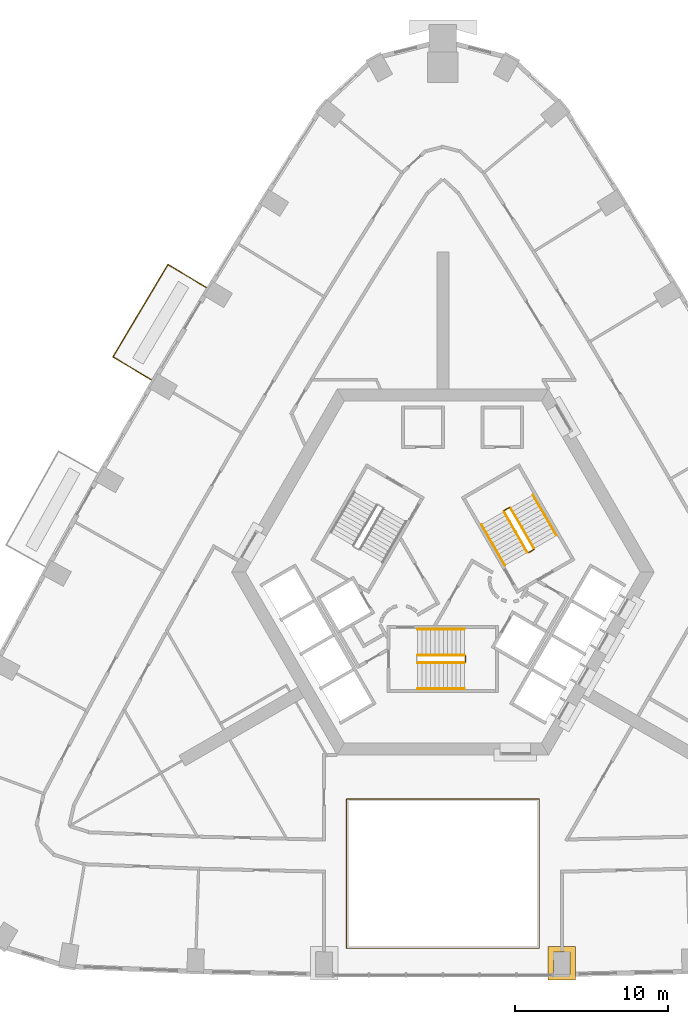
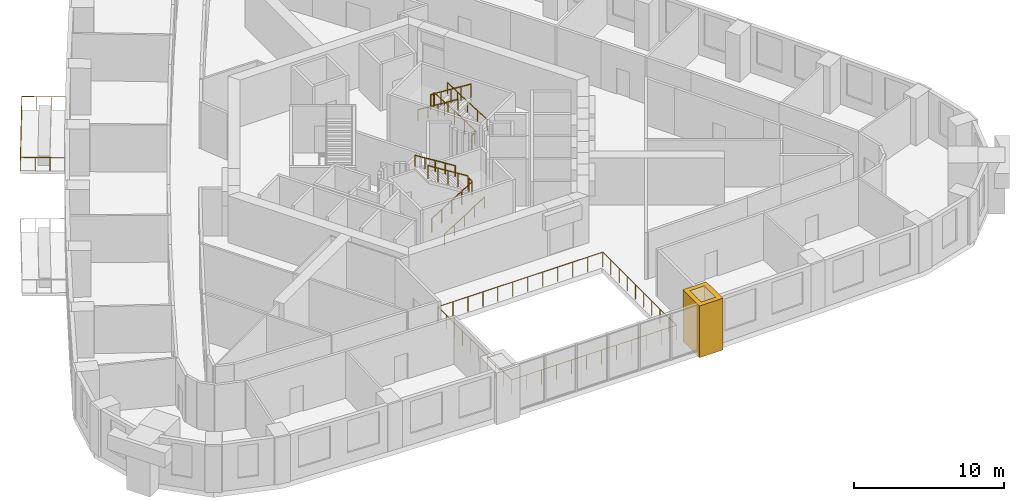
# One storey, part 13 of 14: 13 railings, 1 covering.
"""IFC4 building model written with IfcOpenShell, lengths in metres."""

from ifc_helpers import new_model, si_unit, direction, frame, origin, origin_2d, place, context, subcontext, project, spatial, polyline, circle, outline, extrude, material, type_object, element, save


model = new_model("IFC4")

# Units and contexts
model_context = context("Model", 3, precision=1e-05, world=origin(), true_north=direction((0.0, 1.0)))
body_context = subcontext(model_context, "Body", "Model", "MODEL_VIEW")
ifc_project = project(units=[si_unit("LENGTHUNIT", "METRE"), si_unit("AREAUNIT", "SQUARE_METRE"), si_unit("VOLUMEUNIT", "CUBIC_METRE"), si_unit("PLANEANGLEUNIT", "RADIAN"), si_unit("MASSUNIT", "GRAM", prefix="KILO")], contexts=[model_context])

# Site, building, storey
site_placement = place(None, origin())
site = spatial("IfcSite", under=ifc_project, at=site_placement, CompositionType="ELEMENT")
building_placement = place(site_placement, origin())
building = spatial("IfcBuilding", under=site, at=building_placement, Name="Entoto Arch Interchange Tower", CompositionType="ELEMENT")
storey_placement = place(building_placement, frame((0.0, 0.0, 146.60009765625)))
storey = spatial("IfcBuildingStorey", under=building, at=storey_placement, Name="L32", CompositionType="ELEMENT", Elevation=146.60009765625)

# Railings
ifc_material_1 = material(Name="Stainless steel 1.4301", Category="steel")
railing_type_1 = type_object("IfcRailingType", Name="ATRIUM GUARD 1200 STEEL AND GLASS", PredefinedType="GUARDRAIL", material=ifc_material_1)
railing_1_placement = place(storey_placement, frame((6.320068359375, -22.160888671875, 0.0)))
element("IfcRailing", 1, at=railing_1_placement, inside=storey, type_object=railing_type_1, Name="Atrium guard L32", PredefinedType="GUARDRAIL", context=body_context, shape_type="SweptSolid", body=[
    extrude(circle(Radius=0.02392578125, at=origin_2d()), frame((0.0, 0.0, 1.17578125), z_axis=(-1.0, 0.0, 0.0), x_axis=(0.0, -1.0, 0.0)), (0.0, 0.0, 1.0), 12.64013671875),
    extrude(circle(Radius=0.02392578125, at=origin_2d()), frame((-12.64013671875, 0.0, 1.17578125), z_axis=(0.0, 1.0, 0.0), x_axis=(-1.0, 0.0, 0.0)), (0.0, 0.0, 1.0), 9.781005859375),
    extrude(circle(Radius=0.02392578125, at=origin_2d()), frame((-12.64013671875, 9.781005859375, 1.17578125), z_axis=(1.0, 0.0, 0.0), x_axis=(0.0, 1.0, 0.0)), (0.0, 0.0, 1.0), 12.64013671875),
    extrude(circle(Radius=0.02392578125, at=origin_2d()), frame((0.0, 9.781005859375, 1.17578125), z_axis=(0.0, -1.0, 0.0), x_axis=(1.0, 0.0, 0.0)), (0.0, 0.0, 1.0), 9.781005859375),
    extrude(circle(Radius=0.02099609375, at=origin_2d()), origin(), (0.0, 0.0, 1.0), 1.15185546875),
    extrude(circle(Radius=0.02099609375, at=origin_2d()), frame((-1.149169921875, 0.0, 0.0)), (0.0, 0.0, 1.0), 1.15185546875),
    extrude(circle(Radius=0.02099609375, at=origin_2d()), frame((-2.298095703125, 0.0, 0.0)), (0.0, 0.0, 1.0), 1.15185546875),
    extrude(circle(Radius=0.02099609375, at=origin_2d()), frame((-3.447265625, 0.0, 0.0)), (0.0, 0.0, 1.0), 1.15185546875),
    extrude(circle(Radius=0.02099609375, at=origin_2d()), frame((-4.596435546875, 0.0, 0.0)), (0.0, 0.0, 1.0), 1.15185546875),
    extrude(circle(Radius=0.02099609375, at=origin_2d()), frame((-5.74560546875, 0.0, 0.0)), (0.0, 0.0, 1.0), 1.15185546875),
    extrude(circle(Radius=0.02099609375, at=origin_2d()), frame((-6.89453125, 0.0, 0.0)), (0.0, 0.0, 1.0), 1.15185546875),
    extrude(circle(Radius=0.02099609375, at=origin_2d()), frame((-8.043701171875, 0.0, 0.0)), (0.0, 0.0, 1.0), 1.15185546875),
    extrude(circle(Radius=0.02099609375, at=origin_2d()), frame((-9.19287109375, 0.0, 0.0)), (0.0, 0.0, 1.0), 1.15185546875),
    extrude(circle(Radius=0.02099609375, at=origin_2d()), frame((-10.342041015625, 0.0, 0.0)), (0.0, 0.0, 1.0), 1.15185546875),
    extrude(circle(Radius=0.02099609375, at=origin_2d()), frame((-11.490966796875, 0.0, 0.0)), (0.0, 0.0, 1.0), 1.15185546875),
    extrude(circle(Radius=0.02099609375, at=origin_2d()), frame((-12.64013671875, 0.0, 0.0)), (0.0, 0.0, 1.0), 1.15185546875),
    extrude(circle(Radius=0.02099609375, at=origin_2d()), frame((-12.64013671875, 1.086669921875, 0.0)), (0.0, 0.0, 1.0), 1.15185546875),
    extrude(circle(Radius=0.02099609375, at=origin_2d()), frame((-12.64013671875, 2.173583984375, 0.0)), (0.0, 0.0, 1.0), 1.15185546875),
    extrude(circle(Radius=0.02099609375, at=origin_2d()), frame((-12.64013671875, 3.26025390625, 0.0)), (0.0, 0.0, 1.0), 1.15185546875),
    extrude(circle(Radius=0.02099609375, at=origin_2d()), frame((-12.64013671875, 4.34716796875, 0.0)), (0.0, 0.0, 1.0), 1.15185546875),
    extrude(circle(Radius=0.02099609375, at=origin_2d()), frame((-12.64013671875, 5.433837890625, 0.0)), (0.0, 0.0, 1.0), 1.15185546875),
    extrude(circle(Radius=0.02099609375, at=origin_2d()), frame((-12.64013671875, 6.520751953125, 0.0)), (0.0, 0.0, 1.0), 1.15185546875),
    extrude(circle(Radius=0.02099609375, at=origin_2d()), frame((-12.64013671875, 7.607421875, 0.0)), (0.0, 0.0, 1.0), 1.15185546875),
    extrude(circle(Radius=0.02099609375, at=origin_2d()), frame((-12.64013671875, 8.6943359375, 0.0)), (0.0, 0.0, 1.0), 1.15185546875),
    extrude(circle(Radius=0.02099609375, at=origin_2d()), frame((-12.64013671875, 9.781005859375, 0.0)), (0.0, 0.0, 1.0), 1.15185546875),
    extrude(circle(Radius=0.02099609375, at=origin_2d()), frame((-11.490966796875, 9.781005859375, 0.0)), (0.0, 0.0, 1.0), 1.15185546875),
    extrude(circle(Radius=0.02099609375, at=origin_2d()), frame((-10.342041015625, 9.781005859375, 0.0)), (0.0, 0.0, 1.0), 1.15185546875),
    extrude(circle(Radius=0.02099609375, at=origin_2d()), frame((-9.19287109375, 9.781005859375, 0.0)), (0.0, 0.0, 1.0), 1.15185546875),
    extrude(circle(Radius=0.02099609375, at=origin_2d()), frame((-8.043701171875, 9.781005859375, 0.0)), (0.0, 0.0, 1.0), 1.15185546875),
    extrude(circle(Radius=0.02099609375, at=origin_2d()), frame((-6.89453125, 9.781005859375, 0.0)), (0.0, 0.0, 1.0), 1.15185546875),
    extrude(circle(Radius=0.02099609375, at=origin_2d()), frame((-5.74560546875, 9.781005859375, 0.0)), (0.0, 0.0, 1.0), 1.15185546875),
    extrude(circle(Radius=0.02099609375, at=origin_2d()), frame((-4.596435546875, 9.781005859375, 0.0)), (0.0, 0.0, 1.0), 1.15185546875),
    extrude(circle(Radius=0.02099609375, at=origin_2d()), frame((-3.447265625, 9.781005859375, 0.0)), (0.0, 0.0, 1.0), 1.15185546875),
    extrude(circle(Radius=0.02099609375, at=origin_2d()), frame((-2.298095703125, 9.781005859375, 0.0)), (0.0, 0.0, 1.0), 1.15185546875),
    extrude(circle(Radius=0.02099609375, at=origin_2d()), frame((-1.149169921875, 9.781005859375, 0.0)), (0.0, 0.0, 1.0), 1.15185546875),
    extrude(circle(Radius=0.02099609375, at=origin_2d()), frame((0.0, 9.781005859375, 0.0)), (0.0, 0.0, 1.0), 1.15185546875),
    extrude(circle(Radius=0.02099609375, at=origin_2d()), frame((0.0, 8.6943359375, 0.0)), (0.0, 0.0, 1.0), 1.15185546875),
    extrude(circle(Radius=0.02099609375, at=origin_2d()), frame((0.0, 7.607421875, 0.0)), (0.0, 0.0, 1.0), 1.15185546875),
    extrude(circle(Radius=0.02099609375, at=origin_2d()), frame((0.0, 6.520751953125, 0.0)), (0.0, 0.0, 1.0), 1.15185546875),
    extrude(circle(Radius=0.02099609375, at=origin_2d()), frame((0.0, 5.433837890625, 0.0)), (0.0, 0.0, 1.0), 1.15185546875),
    extrude(circle(Radius=0.02099609375, at=origin_2d()), frame((0.0, 4.34716796875, 0.0)), (0.0, 0.0, 1.0), 1.15185546875),
    extrude(circle(Radius=0.02099609375, at=origin_2d()), frame((0.0, 3.26025390625, 0.0)), (0.0, 0.0, 1.0), 1.15185546875),
    extrude(circle(Radius=0.02099609375, at=origin_2d()), frame((0.0, 2.173583984375, 0.0)), (0.0, 0.0, 1.0), 1.15185546875),
    extrude(circle(Radius=0.02099609375, at=origin_2d()), frame((0.0, 1.086669921875, 0.0)), (0.0, 0.0, 1.0), 1.15185546875),
])
railing_type_2 = type_object("IfcRailingType", Name="GUARD 1100 STEEL AND GLASS", PredefinedType="GUARDRAIL", material=ifc_material_1)
railing_2_placement = place(storey_placement, frame((-15.489013671875, 21.154052734375, 0.0)))
element("IfcRailing", 2, at=railing_2_placement, inside=storey, type_object=railing_type_2, Name="Balcony guard NW-03 L32", PredefinedType="GUARDRAIL", context=body_context, shape_type="SweptSolid", body=[
    extrude(circle(Radius=0.02392578125, at=origin_2d()), frame((0.0, 0.0, 1.076171875), z_axis=(-0.85903727045, 0.511913047282, 0.0), x_axis=(-0.511913047282, -0.85903727045, 0.0)), (0.0, 0.0, 1.0), 2.94970703125),
    extrude(circle(Radius=0.02392578125, at=origin_2d()), frame((-2.533935546875, 1.510009765625, 1.076171875), z_axis=(-0.511870965797, -0.859062346034, 0.0), x_axis=(0.859062346034, -0.511870965797, 0.0)), (0.0, 0.0, 1.0), 7.05078125),
    extrude(circle(Radius=0.02392578125, at=origin_2d()), frame((-6.14306640625, -4.547119140625, 1.076171875), z_axis=(0.859058957605, -0.511876652484, 0.0), x_axis=(0.511876652484, 0.859058957605, 0.0)), (0.0, 0.0, 1.0), 2.949951171875),
    extrude(circle(Radius=0.02099609375, at=origin_2d()), origin(), (0.0, 0.0, 1.0), 1.052001953125),
    extrude(circle(Radius=0.02099609375, at=origin_2d()), frame((-0.8447265625, 0.50341796875, 0.0)), (0.0, 0.0, 1.0), 1.052001953125),
    extrude(circle(Radius=0.02099609375, at=origin_2d()), frame((-1.689208984375, 1.006591796875, 0.0)), (0.0, 0.0, 1.0), 1.052001953125),
    extrude(circle(Radius=0.02099609375, at=origin_2d()), frame((-2.533935546875, 1.510009765625, 0.0)), (0.0, 0.0, 1.0), 1.052001953125),
    extrude(circle(Radius=0.02099609375, at=origin_2d()), frame((-3.135498046875, 0.50048828125, 0.0)), (0.0, 0.0, 1.0), 1.052001953125),
    extrude(circle(Radius=0.02099609375, at=origin_2d()), frame((-3.737060546875, -0.509033203125, 0.0)), (0.0, 0.0, 1.0), 1.052001953125),
    extrude(circle(Radius=0.02099609375, at=origin_2d()), frame((-4.33837890625, -1.5185546875, 0.0)), (0.0, 0.0, 1.0), 1.052001953125),
    extrude(circle(Radius=0.02099609375, at=origin_2d()), frame((-4.93994140625, -2.528076171875, 0.0)), (0.0, 0.0, 1.0), 1.052001953125),
    extrude(circle(Radius=0.02099609375, at=origin_2d()), frame((-5.54150390625, -3.53759765625, 0.0)), (0.0, 0.0, 1.0), 1.052001953125),
    extrude(circle(Radius=0.02099609375, at=origin_2d()), frame((-6.14306640625, -4.547119140625, 0.0)), (0.0, 0.0, 1.0), 1.052001953125),
    extrude(circle(Radius=0.02099609375, at=origin_2d()), frame((-5.29833984375, -5.050537109375, 0.0)), (0.0, 0.0, 1.0), 1.052001953125),
    extrude(circle(Radius=0.02099609375, at=origin_2d()), frame((-4.45361328125, -5.5537109375, 0.0)), (0.0, 0.0, 1.0), 1.052001953125),
    extrude(circle(Radius=0.02099609375, at=origin_2d()), frame((-3.60888671875, -6.05712890625, 0.0)), (0.0, 0.0, 1.0), 1.052001953125),
])

# Covering
ifc_material_2 = material(Name="Board-marked precast concrete C50/60", Category="concrete")
covering_type = type_object("IfcCoveringType", Name="PRECAST FRAME COURSE", PredefinedType="CLADDING", material=ifc_material_2)
covering_placement = place(storey_placement, frame((0.0, 0.0, -0.400146484375)))
element("IfcCovering", 3, at=covering_placement, inside=storey, type_object=covering_type, Name="Gate pier L32", PredefinedType="CLADDING", context=body_context, shape_type="SweptSolid", body=[
    extrude(outline(polyline([(6.888916015625, -22.041015625), (8.68896484375, -22.041015625), (8.68896484375, -24.240966796875), (6.888916015625, -24.240966796875), (6.888916015625, -22.041015625)]), holes=[polyline([(7.239013671875, -22.39111328125), (7.239013671875, -23.89111328125), (8.339111328125, -23.89111328125), (8.339111328125, -22.39111328125), (7.239013671875, -22.39111328125)])]), origin(), (0.0, 0.0, 1.0), 4.199951171875),
])

# Railings
railing_type_3 = type_object("IfcRailingType", Name="STAIR GUARD 1100 STEEL", PredefinedType="GUARDRAIL", material=ifc_material_1)
railing_3_placement = place(storey_placement, frame((-1.64990234375, -3.449951171875, 0.1748046875)))
element("IfcRailing", 4, at=railing_3_placement, inside=storey, type_object=railing_type_3, Name="L32 ST-S stair guard 1", PredefinedType="GUARDRAIL", context=body_context, shape_type="SweptSolid", body=[
    extrude(circle(Radius=0.02392578125, at=origin_2d()), frame((0.0, 0.0, 1.076171875), z_axis=(0.847979421464, 0.0, 0.530029150871), x_axis=(0.0, 1.0, 0.0)), (0.0, 0.0, 1.0), 3.632080078125),
    extrude(circle(Radius=0.02099609375, at=origin_2d()), origin(), (0.0, 0.0, 1.0), 1.052001953125),
    extrude(circle(Radius=0.02099609375, at=origin_2d()), frame((0.77001953125, 0.0, 0.481201171875)), (0.0, 0.0, 1.0), 1.052001953125),
    extrude(circle(Radius=0.02099609375, at=origin_2d()), frame((1.5400390625, 0.0, 0.96240234375)), (0.0, 0.0, 1.0), 1.052001953125),
    extrude(circle(Radius=0.02099609375, at=origin_2d()), frame((2.309814453125, 0.0, 1.44384765625)), (0.0, 0.0, 1.0), 1.052001953125),
    extrude(circle(Radius=0.02099609375, at=origin_2d()), frame((3.079833984375, 0.0, 1.925048828125)), (0.0, 0.0, 1.0), 1.052001953125),
])
railing_4_placement = place(storey_placement, frame((1.47998046875, -3.39990234375, 2.099853515625)))
element("IfcRailing", 5, at=railing_4_placement, inside=storey, type_object=railing_type_3, Name="L32 ST-S stair guard 2", PredefinedType="GUARDRAIL", context=body_context, shape_type="SweptSolid", body=[
    extrude(circle(Radius=0.02392578125, at=origin_2d()), frame((0.0, 0.0, 1.076171875), z_axis=(0.0, 1.0, 0.0), x_axis=(-1.0, 0.0, 0.0)), (0.0, 0.0, 1.0), 0.39990234375),
    extrude(circle(Radius=0.02099609375, at=origin_2d()), origin(), (0.0, 0.0, 1.0), 1.052001953125),
    extrude(circle(Radius=0.02099609375, at=origin_2d()), frame((0.0, 0.39990234375, 0.0)), (0.0, 0.0, 1.0), 1.052001953125),
])
railing_5_placement = place(storey_placement, frame((1.429931640625, -2.949951171875, 2.27490234375)))
element("IfcRailing", 6, at=railing_5_placement, inside=storey, type_object=railing_type_3, Name="L32 ST-S stair guard 3", PredefinedType="GUARDRAIL", context=body_context, shape_type="SweptSolid", body=[
    extrude(circle(Radius=0.02392578125, at=origin_2d()), frame((0.0, 0.0, 1.076171875), z_axis=(-0.847979421464, 0.0, 0.530029150871), x_axis=(0.0, -1.0, 0.0)), (0.0, 0.0, 1.0), 3.632080078125),
    extrude(circle(Radius=0.02099609375, at=origin_2d()), origin(), (0.0, 0.0, 1.0), 1.052001953125),
    extrude(circle(Radius=0.02099609375, at=origin_2d()), frame((-0.77001953125, 0.0, 0.481201171875)), (0.0, 0.0, 1.0), 1.052001953125),
    extrude(circle(Radius=0.02099609375, at=origin_2d()), frame((-1.5400390625, 0.0, 0.96240234375)), (0.0, 0.0, 1.0), 1.052001953125),
    extrude(circle(Radius=0.02099609375, at=origin_2d()), frame((-2.309814453125, 0.0, 1.44384765625)), (0.0, 0.0, 1.0), 1.052001953125),
    extrude(circle(Radius=0.02099609375, at=origin_2d()), frame((-3.079833984375, 0.0, 1.925048828125)), (0.0, 0.0, 1.0), 1.052001953125),
])
railing_6_placement = place(storey_placement, frame((5.977783203125, 4.046142578125, 0.1748046875)))
element("IfcRailing", 7, at=railing_6_placement, inside=storey, type_object=railing_type_3, Name="L32 ST-NE stair guard 1", PredefinedType="GUARDRAIL", context=body_context, shape_type="SweptSolid", body=[
    extrude(circle(Radius=0.02392578125, at=origin_2d()), frame((0.0, 0.0, 1.076171875), z_axis=(-0.424015404183, 0.734364028329, 0.530019255228), x_axis=(-0.866010015463, -0.500026652407, 0.0)), (0.0, 0.0, 1.0), 3.632080078125),
    extrude(circle(Radius=0.02099609375, at=origin_2d()), origin(), (0.0, 0.0, 1.0), 1.052001953125),
    extrude(circle(Radius=0.02099609375, at=origin_2d()), frame((-0.385009765625, 0.666748046875, 0.481201171875)), (0.0, 0.0, 1.0), 1.052001953125),
    extrude(circle(Radius=0.02099609375, at=origin_2d()), frame((-0.77001953125, 1.33349609375, 0.96240234375)), (0.0, 0.0, 1.0), 1.052001953125),
    extrude(circle(Radius=0.02099609375, at=origin_2d()), frame((-1.155029296875, 2.00048828125, 1.44384765625)), (0.0, 0.0, 1.0), 1.052001953125),
    extrude(circle(Radius=0.02099609375, at=origin_2d()), frame((-1.5400390625, 2.667236328125, 1.925048828125)), (0.0, 0.0, 1.0), 1.052001953125),
])
railing_7_placement = place(storey_placement, frame((4.36962890625, 6.731689453125, 2.099853515625)))
element("IfcRailing", 8, at=railing_7_placement, inside=storey, type_object=railing_type_3, Name="L32 ST-NE stair guard 2", PredefinedType="GUARDRAIL", context=body_context, shape_type="SweptSolid", body=[
    extrude(circle(Radius=0.02392578125, at=origin_2d()), frame((0.0, 0.0, 1.076171875), z_axis=(-0.866094119867, -0.499880961361, 0.0), x_axis=(0.499880961361, -0.866094119867, 0.0)), (0.0, 0.0, 1.0), 0.39990234375),
    extrude(circle(Radius=0.02099609375, at=origin_2d()), origin(), (0.0, 0.0, 1.0), 1.052001953125),
    extrude(circle(Radius=0.02099609375, at=origin_2d()), frame((-0.346435546875, -0.199951171875, 0.0)), (0.0, 0.0, 1.0), 1.052001953125),
])
railing_8_placement = place(storey_placement, frame((4.0048828125, 6.46337890625, 2.27490234375)))
element("IfcRailing", 9, at=railing_8_placement, inside=storey, type_object=railing_type_3, Name="L32 ST-NE stair guard 3", PredefinedType="GUARDRAIL", context=body_context, shape_type="SweptSolid", body=[
    extrude(circle(Radius=0.02392578125, at=origin_2d()), frame((0.0, 0.0, 1.076171875), z_axis=(0.424015404183, -0.734364028329, 0.530019255228), x_axis=(0.866010015463, 0.500026652407, 0.0)), (0.0, 0.0, 1.0), 3.632080078125),
    extrude(circle(Radius=0.02099609375, at=origin_2d()), origin(), (0.0, 0.0, 1.0), 1.052001953125),
    extrude(circle(Radius=0.02099609375, at=origin_2d()), frame((0.385009765625, -0.666748046875, 0.481201171875)), (0.0, 0.0, 1.0), 1.052001953125),
    extrude(circle(Radius=0.02099609375, at=origin_2d()), frame((0.77001953125, -1.33349609375, 0.96240234375)), (0.0, 0.0, 1.0), 1.052001953125),
    extrude(circle(Radius=0.02099609375, at=origin_2d()), frame((1.155029296875, -2.00048828125, 1.44384765625)), (0.0, 0.0, 1.0), 1.052001953125),
    extrude(circle(Radius=0.02099609375, at=origin_2d()), frame((1.5400390625, -2.667236328125, 1.925048828125)), (0.0, 0.0, 1.0), 1.052001953125),
])
railing_9_placement = place(storey_placement, frame((5.95947265625, 3.977783203125, 0.0)))
element("IfcRailing", 10, at=railing_9_placement, inside=storey, type_object=railing_type_3, Name="L32 ST-NE stair guard 4", PredefinedType="GUARDRAIL", context=body_context, shape_type="SweptSolid", body=[
    extrude(circle(Radius=0.02392578125, at=origin_2d()), frame((0.0, 0.0, 1.076171875), z_axis=(-0.866094119867, -0.499880961361, 0.0), x_axis=(0.499880961361, -0.866094119867, 0.0)), (0.0, 0.0, 1.0), 0.39990234375),
    extrude(circle(Radius=0.02099609375, at=origin_2d()), origin(), (0.0, 0.0, 1.0), 1.052001953125),
    extrude(circle(Radius=0.02099609375, at=origin_2d()), frame((-0.346435546875, -0.199951171875, 0.0)), (0.0, 0.0, 1.0), 1.052001953125),
])
railing_type_4 = type_object("IfcRailingType", Name="STAIR HANDRAIL 900 STEEL", PredefinedType="HANDRAIL", material=ifc_material_1)
railing_10_placement = place(storey_placement, frame((-1.64990234375, -5.14990234375, 0.1748046875)))
element("IfcRailing", 11, at=railing_10_placement, inside=storey, type_object=railing_type_4, Name="L32 ST-S stair handrail 1", PredefinedType="HANDRAIL", context=body_context, shape_type="SweptSolid", body=[
    extrude(circle(Radius=0.02392578125, at=origin_2d()), frame((0.0, 0.0, 0.8759765625), z_axis=(0.847979421464, 0.0, 0.530029150871), x_axis=(0.0, 1.0, 0.0)), (0.0, 0.0, 1.0), 3.632080078125),
    extrude(circle(Radius=0.02099609375, at=origin_2d()), origin(), (0.0, 0.0, 1.0), 0.851806640625),
    extrude(circle(Radius=0.02099609375, at=origin_2d()), frame((0.77001953125, 0.0, 0.481201171875)), (0.0, 0.0, 1.0), 0.851806640625),
    extrude(circle(Radius=0.02099609375, at=origin_2d()), frame((1.5400390625, 0.0, 0.96240234375)), (0.0, 0.0, 1.0), 0.851806640625),
    extrude(circle(Radius=0.02099609375, at=origin_2d()), frame((2.309814453125, 0.0, 1.44384765625)), (0.0, 0.0, 1.0), 0.851806640625),
    extrude(circle(Radius=0.02099609375, at=origin_2d()), frame((3.079833984375, 0.0, 1.925048828125)), (0.0, 0.0, 1.0), 0.851806640625),
])
railing_11_placement = place(storey_placement, frame((1.429931640625, -1.25, 2.27490234375)))
element("IfcRailing", 12, at=railing_11_placement, inside=storey, type_object=railing_type_4, Name="L32 ST-S stair handrail 2", PredefinedType="HANDRAIL", context=body_context, shape_type="SweptSolid", body=[
    extrude(circle(Radius=0.02392578125, at=origin_2d()), frame((0.0, 0.0, 0.8759765625), z_axis=(-0.847979421464, 0.0, 0.530029150871), x_axis=(0.0, -1.0, 0.0)), (0.0, 0.0, 1.0), 3.632080078125),
    extrude(circle(Radius=0.02099609375, at=origin_2d()), origin(), (0.0, 0.0, 1.0), 0.851806640625),
    extrude(circle(Radius=0.02099609375, at=origin_2d()), frame((-0.77001953125, 0.0, 0.481201171875)), (0.0, 0.0, 1.0), 0.851806640625),
    extrude(circle(Radius=0.02099609375, at=origin_2d()), frame((-1.5400390625, 0.0, 0.96240234375)), (0.0, 0.0, 1.0), 0.851806640625),
    extrude(circle(Radius=0.02099609375, at=origin_2d()), frame((-2.309814453125, 0.0, 1.44384765625)), (0.0, 0.0, 1.0), 0.851806640625),
    extrude(circle(Radius=0.02099609375, at=origin_2d()), frame((-3.079833984375, 0.0, 1.925048828125)), (0.0, 0.0, 1.0), 0.851806640625),
])
railing_12_placement = place(storey_placement, frame((7.4501953125, 4.89599609375, 0.1748046875)))
element("IfcRailing", 13, at=railing_12_placement, inside=storey, type_object=railing_type_4, Name="L32 ST-NE stair handrail 1", PredefinedType="HANDRAIL", context=body_context, shape_type="SweptSolid", body=[
    extrude(circle(Radius=0.02392578125, at=origin_2d()), frame((0.0, 0.0, 0.8759765625), z_axis=(-0.423994474112, 0.734394994316, 0.52999309264), x_axis=(-0.866029832698, -0.499992328818, 0.0)), (0.0, 0.0, 1.0), 3.63232421875),
    extrude(circle(Radius=0.02099609375, at=origin_2d()), origin(), (0.0, 0.0, 1.0), 0.851806640625),
    extrude(circle(Radius=0.02099609375, at=origin_2d()), frame((-0.385009765625, 0.6669921875, 0.481201171875)), (0.0, 0.0, 1.0), 0.851806640625),
    extrude(circle(Radius=0.02099609375, at=origin_2d()), frame((-0.77001953125, 1.333740234375, 0.96240234375)), (0.0, 0.0, 1.0), 0.851806640625),
    extrude(circle(Radius=0.02099609375, at=origin_2d()), frame((-1.155029296875, 2.00048828125, 1.44384765625)), (0.0, 0.0, 1.0), 0.851806640625),
    extrude(circle(Radius=0.02099609375, at=origin_2d()), frame((-1.5400390625, 2.66748046875, 1.925048828125)), (0.0, 0.0, 1.0), 0.851806640625),
])
railing_13_placement = place(storey_placement, frame((2.53271484375, 5.613525390625, 2.27490234375)))
element("IfcRailing", 14, at=railing_13_placement, inside=storey, type_object=railing_type_4, Name="L32 ST-NE stair handrail 2", PredefinedType="HANDRAIL", context=body_context, shape_type="SweptSolid", body=[
    extrude(circle(Radius=0.02392578125, at=origin_2d()), frame((0.0, 0.0, 0.8759765625), z_axis=(0.423939339791, -0.734415923031, 0.53000819633), x_axis=(0.866064153644, 0.499932877268, 0.0)), (0.0, 0.0, 1.0), 3.632080078125),
    extrude(circle(Radius=0.02099609375, at=origin_2d()), origin(), (0.0, 0.0, 1.0), 0.851806640625),
    extrude(circle(Radius=0.02099609375, at=origin_2d()), frame((0.385009765625, -0.6669921875, 0.481201171875)), (0.0, 0.0, 1.0), 0.851806640625),
    extrude(circle(Radius=0.02099609375, at=origin_2d()), frame((0.77001953125, -1.333740234375, 0.96240234375)), (0.0, 0.0, 1.0), 0.851806640625),
    extrude(circle(Radius=0.02099609375, at=origin_2d()), frame((1.15478515625, -2.00048828125, 1.44384765625)), (0.0, 0.0, 1.0), 0.851806640625),
    extrude(circle(Radius=0.02099609375, at=origin_2d()), frame((1.539794921875, -2.66748046875, 1.925048828125)), (0.0, 0.0, 1.0), 0.851806640625),
])

save(model, "model.ifc")
